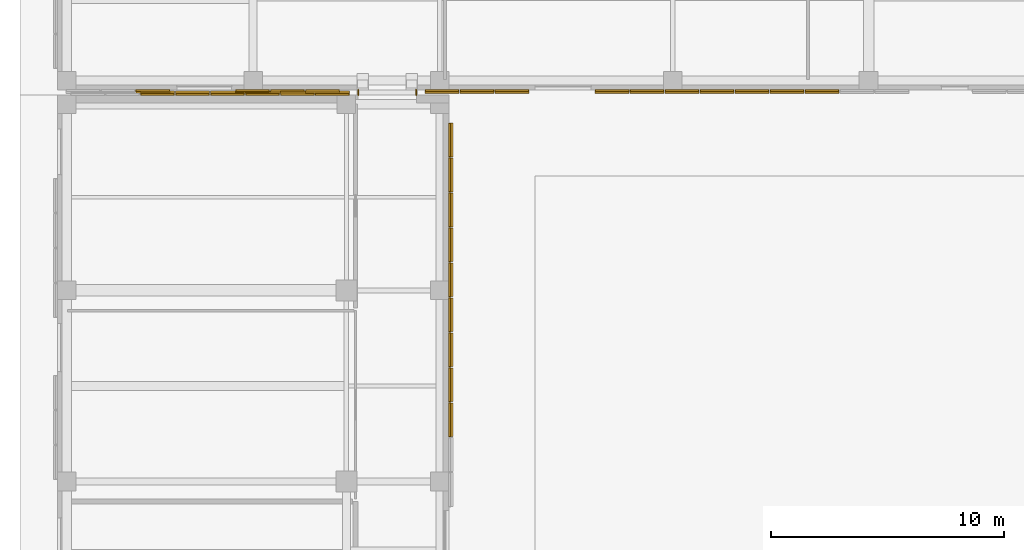
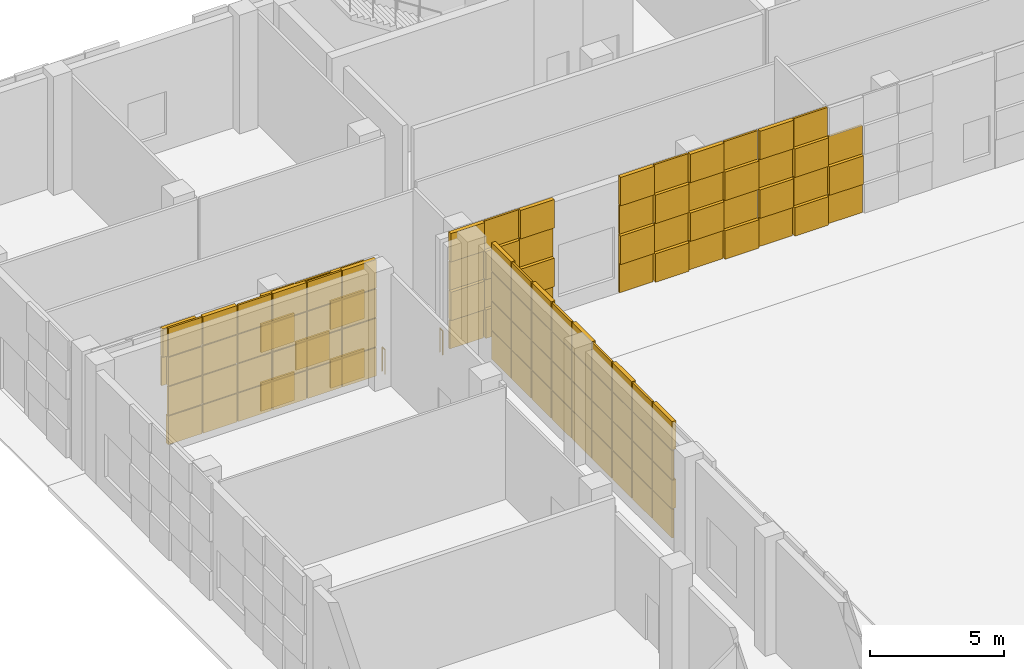
# One storey, part 33 of 40: 113 coverings, 2 railings.
"""IFC4 building model written with IfcOpenShell, lengths in metres."""

from ifc_helpers import new_model, si_unit, direction, frame, origin, origin_2d, place, context, subcontext, project, spatial, rectangle, circle, extrude, material, layer, layer_set, type_object, element, save


model = new_model("IFC4")

# Units and contexts
model_context = context("Model", 3, precision=1e-05, world=origin(), true_north=direction((0.0, 1.0)))
body_context = subcontext(model_context, "Body", "Model", "MODEL_VIEW")
ifc_project = project(units=[si_unit("LENGTHUNIT", "METRE"), si_unit("AREAUNIT", "SQUARE_METRE"), si_unit("VOLUMEUNIT", "CUBIC_METRE"), si_unit("PLANEANGLEUNIT", "RADIAN"), si_unit("MASSUNIT", "GRAM", prefix="KILO")], contexts=[model_context])

# Site, building, storey
site_placement = place(None, origin())
site = spatial("IfcSite", under=ifc_project, at=site_placement, CompositionType="ELEMENT")
building_placement = place(site_placement, origin())
building = spatial("IfcBuilding", under=site, at=building_placement, Name="Qalavern Law Courts", CompositionType="ELEMENT")
storey_placement = place(building_placement, origin())
storey = spatial("IfcBuildingStorey", under=building, at=storey_placement, Name="L00", CompositionType="ELEMENT", Elevation=0.0)

# Railings
ifc_material_1 = material(Name="Steel S355", Category="steel")
railing_type = type_object("IfcRailingType", Name="ENV-BAL-1120", PredefinedType="BALUSTRADE", material=ifc_material_1)
for number, where, name in (
    (1, (14.909912109375, 95.97998046875, 0.0), "Bridge BR-V3-V5 joint guard L00-1"),
    (2, (17.389892578125, 95.97998046875, 0.0), "Bridge BR-V3-V5 joint guard L00-2"),
):
    element("IfcRailing", number, at=place(storey_placement, frame(where)), inside=storey, type_object=railing_type, Name=name, PredefinedType="BALUSTRADE", context=body_context, shape_type="SweptSolid", body=[
        extrude(circle(Radius=0.02392578125, at=origin_2d()), frame((0.0, 0.0, 1.09619140625), z_axis=(0.0, 1.0, 0.0), x_axis=(-1.0, 0.0, 0.0)), (0.0, 0.0, 1.0), 0.219970703125),
        extrude(circle(Radius=0.02099609375, at=origin_2d()), origin(), (0.0, 0.0, 1.0), 1.072021484375),
        extrude(circle(Radius=0.02099609375, at=origin_2d()), frame((0.0, 0.219970703125, 0.0)), (0.0, 0.0, 1.0), 1.072021484375),
    ])

# Coverings
ifc_material_2 = material(Name="Precast concrete C40/50", Category="concrete")
ifc_layer_1 = layer(ifc_material_2, 0.06005859375)
ifc_layer_set_1 = layer_set([ifc_layer_1], Name="Precast concrete C40/50")
covering_type_1 = type_object("IfcCoveringType", Name="ENV-CLD-1", PredefinedType="CLADDING", material=ifc_layer_set_1)
for number, where, z_axis, x_axis, name in (
    (3, (18.837890625, 82.054931640625, 2.719970703125), (0.0, 0.0, 1.0), (0.0, 1.0, 0.0), "Cast drop-relief street-base tile 0599"),
    (4, (18.837890625, 83.554931640625, 1.385009765625), (0.0, 0.0, 1.0), (0.0, 1.0, 0.0), "Cast drop-relief street-base tile 0602"),
    (5, (18.837890625, 85.054931640625, 0.050048828125), (0.0, 0.0, 1.0), (0.0, 1.0, 0.0), "Cast drop-relief street-base tile 0605"),
):
    element("IfcCovering", number, at=place(storey_placement, frame(where, z_axis=z_axis, x_axis=x_axis)), inside=storey, type_object=covering_type_1, Name=name, PredefinedType="CLADDING", context=body_context, shape_type="SweptSolid", body=[
        extrude(rectangle(XDim=1.449951171875, YDim=0.083984375, at=origin_2d()), origin(), (0.0, 0.0, 1.0), 1.294921875),
    ])
for number, where, z_axis, x_axis, name in (
    (6, (18.8798828125, 85.054931640625, 4.054931640625), (0.0, 0.0, 1.0), (0.0, 1.0, 0.0), "Cast drop-relief street-base tile 0608"),
    (7, (18.8798828125, 86.554931640625, 2.719970703125), (0.0, 0.0, 1.0), (0.0, 1.0, 0.0), "Cast drop-relief street-base tile 0611"),
    (8, (18.8798828125, 88.054931640625, 1.385009765625), (0.0, 0.0, 1.0), (0.0, 1.0, 0.0), "Cast drop-relief street-base tile 0614"),
    (9, (18.8798828125, 89.554931640625, 0.050048828125), (0.0, 0.0, 1.0), (0.0, 1.0, 0.0), "Cast drop-relief street-base tile 0617"),
):
    element("IfcCovering", number, at=place(storey_placement, frame(where, z_axis=z_axis, x_axis=x_axis)), inside=storey, type_object=covering_type_1, Name=name, PredefinedType="CLADDING", context=body_context, shape_type="SweptSolid", body=[
        extrude(rectangle(XDim=1.449951171875, YDim=0.16796875, at=origin_2d()), origin(), (0.0, 0.0, 1.0), 1.294921875),
    ])
for number, where, z_axis, x_axis, name in (
    (10, (18.837890625, 89.554931640625, 4.054931640625), (0.0, 0.0, 1.0), (0.0, 1.0, 0.0), "Cast drop-relief street-base tile 0620"),
    (11, (18.837890625, 91.054931640625, 2.719970703125), (0.0, 0.0, 1.0), (0.0, 1.0, 0.0), "Cast drop-relief street-base tile 0623"),
    (12, (18.837890625, 92.554931640625, 1.385009765625), (0.0, 0.0, 1.0), (0.0, 1.0, 0.0), "Cast drop-relief street-base tile 0626"),
    (13, (18.837890625, 94.054931640625, 0.050048828125), (0.0, 0.0, 1.0), (0.0, 1.0, 0.0), "Cast drop-relief street-base tile 0629"),
):
    element("IfcCovering", number, at=place(storey_placement, frame(where, z_axis=z_axis, x_axis=x_axis)), inside=storey, type_object=covering_type_1, Name=name, PredefinedType="CLADDING", context=body_context, shape_type="SweptSolid", body=[
        extrude(rectangle(XDim=1.449951171875, YDim=0.083984375, at=origin_2d()), origin(), (0.0, 0.0, 1.0), 1.294921875),
    ])
for number, where, z_axis, x_axis, name in (
    (14, (18.8798828125, 94.054931640625, 4.054931640625), (0.0, 0.0, 1.0), (0.0, 1.0, 0.0), "Cast drop-relief street-base tile 0632"),
    (15, (13.800048828125, 96.06005859375, 1.385009765625), (0.0, 0.0, 1.0), (-1.0, 0.0, 0.0), "Cast drop-relief street-base tile 0634"),
    (16, (12.300048828125, 96.06005859375, 0.050048828125), (0.0, 0.0, 1.0), (-1.0, 0.0, 0.0), "Cast drop-relief street-base tile 0637"),
):
    element("IfcCovering", number, at=place(storey_placement, frame(where, z_axis=z_axis, x_axis=x_axis)), inside=storey, type_object=covering_type_1, Name=name, PredefinedType="CLADDING", context=body_context, shape_type="SweptSolid", body=[
        extrude(rectangle(XDim=1.449951171875, YDim=0.16796875, at=origin_2d()), origin(), (0.0, 0.0, 1.0), 1.294921875),
    ])
for number, where, z_axis, x_axis, name in (
    (17, (12.300048828125, 96.01806640625, 4.054931640625), (0.0, 0.0, 1.0), (-1.0, 0.0, 0.0), "Cast drop-relief street-base tile 0640"),
    (18, (10.800048828125, 96.01806640625, 2.719970703125), (0.0, 0.0, 1.0), (-1.0, 0.0, 0.0), "Cast drop-relief street-base tile 0643"),
    (19, (9.300048828125, 96.01806640625, 1.385009765625), (0.0, 0.0, 1.0), (-1.0, 0.0, 0.0), "Cast drop-relief street-base tile 0646"),
    (20, (7.800048828125, 96.01806640625, 0.050048828125), (0.0, 0.0, 1.0), (-1.0, 0.0, 0.0), "Cast drop-relief street-base tile 0649"),
):
    element("IfcCovering", number, at=place(storey_placement, frame(where, z_axis=z_axis, x_axis=x_axis)), inside=storey, type_object=covering_type_1, Name=name, PredefinedType="CLADDING", context=body_context, shape_type="SweptSolid", body=[
        extrude(rectangle(XDim=1.449951171875, YDim=0.083984375, at=origin_2d()), origin(), (0.0, 0.0, 1.0), 1.294921875),
    ])
for number, where, z_axis, x_axis, name in (
    (21, (7.800048828125, 96.06005859375, 4.054931640625), (0.0, 0.0, 1.0), (-1.0, 0.0, 0.0), "Cast drop-relief street-base tile 0652"),
    (22, (6.300048828125, 96.06005859375, 2.719970703125), (0.0, 0.0, 1.0), (-1.0, 0.0, 0.0), "Cast drop-relief street-base tile 0655"),
):
    element("IfcCovering", number, at=place(storey_placement, frame(where, z_axis=z_axis, x_axis=x_axis)), inside=storey, type_object=covering_type_1, Name=name, PredefinedType="CLADDING", context=body_context, shape_type="SweptSolid", body=[
        extrude(rectangle(XDim=1.449951171875, YDim=0.16796875, at=origin_2d()), origin(), (0.0, 0.0, 1.0), 1.294921875),
    ])
covering_1_placement = place(storey_placement, frame((6.10009765625, 96.162109375, 2.719970703125), z_axis=(0.0, 0.0, 1.0), x_axis=(1.0, 0.0, 0.0)))
element("IfcCovering", 23, at=covering_1_placement, inside=storey, type_object=covering_type_1, Name="Cast drop-relief street-base tile 1079", PredefinedType="CLADDING", context=body_context, shape_type="SweptSolid", body=[
    extrude(rectangle(XDim=1.449951171875, YDim=0.083984375, at=origin_2d()), origin(), (0.0, 0.0, 1.0), 1.294921875),
])
for number, where, z_axis, x_axis, name in (
    (24, (10.375, 96.1201171875, 1.385009765625), (0.0, 0.0, 1.0), (1.0, 0.0, 0.0), "Cast drop-relief street-base tile 1082"),
    (25, (11.875, 96.1201171875, 0.050048828125), (0.0, 0.0, 1.0), (1.0, 0.0, 0.0), "Cast drop-relief street-base tile 1085"),
):
    element("IfcCovering", number, at=place(storey_placement, frame(where, z_axis=z_axis, x_axis=x_axis)), inside=storey, type_object=covering_type_1, Name=name, PredefinedType="CLADDING", context=body_context, shape_type="SweptSolid", body=[
        extrude(rectangle(XDim=1.449951171875, YDim=0.16796875, at=origin_2d()), origin(), (0.0, 0.0, 1.0), 1.294921875),
    ])
for number, where, z_axis, x_axis, name in (
    (26, (11.875, 96.162109375, 4.054931640625), (0.0, 0.0, 1.0), (1.0, 0.0, 0.0), "Cast drop-relief street-base tile 1088"),
    (27, (13.375, 96.162109375, 2.719970703125), (0.0, 0.0, 1.0), (1.0, 0.0, 0.0), "Cast drop-relief street-base tile 1091"),
):
    element("IfcCovering", number, at=place(storey_placement, frame(where, z_axis=z_axis, x_axis=x_axis)), inside=storey, type_object=covering_type_1, Name=name, PredefinedType="CLADDING", context=body_context, shape_type="SweptSolid", body=[
        extrude(rectangle(XDim=1.449951171875, YDim=0.083984375, at=origin_2d()), origin(), (0.0, 0.0, 1.0), 1.294921875),
    ])
for number, where, z_axis, x_axis, name in (
    (28, (18.5, 96.1201171875, 1.385009765625), (0.0, 0.0, 1.0), (1.0, 0.0, 0.0), "Cast drop-relief street-base tile 1094"),
    (29, (20.0, 96.1201171875, 0.050048828125), (0.0, 0.0, 1.0), (1.0, 0.0, 0.0), "Cast drop-relief street-base tile 1097"),
):
    element("IfcCovering", number, at=place(storey_placement, frame(where, z_axis=z_axis, x_axis=x_axis)), inside=storey, type_object=covering_type_1, Name=name, PredefinedType="CLADDING", context=body_context, shape_type="SweptSolid", body=[
        extrude(rectangle(XDim=1.449951171875, YDim=0.16796875, at=origin_2d()), origin(), (0.0, 0.0, 1.0), 1.294921875),
    ])
for number, where, z_axis, x_axis, name in (
    (30, (20.0, 96.162109375, 4.054931640625), (0.0, 0.0, 1.0), (1.0, 0.0, 0.0), "Cast drop-relief street-base tile 1100"),
    (31, (21.5, 96.162109375, 2.719970703125), (0.0, 0.0, 1.0), (1.0, 0.0, 0.0), "Cast drop-relief street-base tile 1103"),
):
    element("IfcCovering", number, at=place(storey_placement, frame(where, z_axis=z_axis, x_axis=x_axis)), inside=storey, type_object=covering_type_1, Name=name, PredefinedType="CLADDING", context=body_context, shape_type="SweptSolid", body=[
        extrude(rectangle(XDim=1.449951171875, YDim=0.083984375, at=origin_2d()), origin(), (0.0, 0.0, 1.0), 1.294921875),
    ])
for number, where, z_axis, x_axis, name in (
    (32, (25.800048828125, 96.1201171875, 1.385009765625), (0.0, 0.0, 1.0), (1.0, 0.0, 0.0), "Cast drop-relief street-base tile 1106"),
    (33, (27.300048828125, 96.1201171875, 0.050048828125), (0.0, 0.0, 1.0), (1.0, 0.0, 0.0), "Cast drop-relief street-base tile 1109"),
):
    element("IfcCovering", number, at=place(storey_placement, frame(where, z_axis=z_axis, x_axis=x_axis)), inside=storey, type_object=covering_type_1, Name=name, PredefinedType="CLADDING", context=body_context, shape_type="SweptSolid", body=[
        extrude(rectangle(XDim=1.449951171875, YDim=0.16796875, at=origin_2d()), origin(), (0.0, 0.0, 1.0), 1.294921875),
    ])
for number, where, z_axis, x_axis, name in (
    (34, (27.300048828125, 96.162109375, 4.054931640625), (0.0, 0.0, 1.0), (1.0, 0.0, 0.0), "Cast drop-relief street-base tile 1112"),
    (35, (28.800048828125, 96.162109375, 2.719970703125), (0.0, 0.0, 1.0), (1.0, 0.0, 0.0), "Cast drop-relief street-base tile 1115"),
    (36, (30.300048828125, 96.162109375, 1.385009765625), (0.0, 0.0, 1.0), (1.0, 0.0, 0.0), "Cast drop-relief street-base tile 1118"),
    (37, (31.800048828125, 96.162109375, 0.050048828125), (0.0, 0.0, 1.0), (1.0, 0.0, 0.0), "Cast drop-relief street-base tile 1121"),
):
    element("IfcCovering", number, at=place(storey_placement, frame(where, z_axis=z_axis, x_axis=x_axis)), inside=storey, type_object=covering_type_1, Name=name, PredefinedType="CLADDING", context=body_context, shape_type="SweptSolid", body=[
        extrude(rectangle(XDim=1.449951171875, YDim=0.083984375, at=origin_2d()), origin(), (0.0, 0.0, 1.0), 1.294921875),
    ])
for number, where, z_axis, x_axis, name in (
    (38, (31.800048828125, 96.1201171875, 4.054931640625), (0.0, 0.0, 1.0), (1.0, 0.0, 0.0), "Cast drop-relief street-base tile 1124"),
    (39, (33.300048828125, 96.1201171875, 2.719970703125), (0.0, 0.0, 1.0), (1.0, 0.0, 0.0), "Cast drop-relief street-base tile 1127"),
    (40, (34.800048828125, 96.1201171875, 1.385009765625), (0.0, 0.0, 1.0), (1.0, 0.0, 0.0), "Cast drop-relief street-base tile 1130"),
):
    element("IfcCovering", number, at=place(storey_placement, frame(where, z_axis=z_axis, x_axis=x_axis)), inside=storey, type_object=covering_type_1, Name=name, PredefinedType="CLADDING", context=body_context, shape_type="SweptSolid", body=[
        extrude(rectangle(XDim=1.449951171875, YDim=0.16796875, at=origin_2d()), origin(), (0.0, 0.0, 1.0), 1.294921875),
    ])
ifc_layer_2 = layer(ifc_material_2, 0.072021484375)
ifc_layer_set_2 = layer_set([ifc_layer_2], Name="Precast concrete C40/50")
covering_type_2 = type_object("IfcCoveringType", Name="ENV-CLD-2", PredefinedType="CLADDING", material=ifc_layer_set_2)
covering_2_placement = place(storey_placement, frame((18.837890625, 82.054931640625, 0.050048828125), z_axis=(0.0, 0.0, 1.0), x_axis=(0.0, 1.0, 0.0)))
element("IfcCovering", 41, at=covering_2_placement, inside=storey, type_object=covering_type_2, Name="Cast drop-relief street-base tile 0597", PredefinedType="CLADDING", context=body_context, shape_type="SweptSolid", body=[
    extrude(rectangle(XDim=1.449951171875, YDim=0.083984375, at=origin_2d()), origin(), (0.0, 0.0, 1.0), 1.294921875),
])
for number, where, z_axis, x_axis, name in (
    (42, (18.8798828125, 82.054931640625, 4.054931640625), (0.0, 0.0, 1.0), (0.0, 1.0, 0.0), "Cast drop-relief street-base tile 0600"),
    (43, (18.8798828125, 83.554931640625, 2.719970703125), (0.0, 0.0, 1.0), (0.0, 1.0, 0.0), "Cast drop-relief street-base tile 0603"),
    (44, (18.8798828125, 85.054931640625, 1.385009765625), (0.0, 0.0, 1.0), (0.0, 1.0, 0.0), "Cast drop-relief street-base tile 0606"),
    (45, (18.8798828125, 86.554931640625, 0.050048828125), (0.0, 0.0, 1.0), (0.0, 1.0, 0.0), "Cast drop-relief street-base tile 0609"),
):
    element("IfcCovering", number, at=place(storey_placement, frame(where, z_axis=z_axis, x_axis=x_axis)), inside=storey, type_object=covering_type_2, Name=name, PredefinedType="CLADDING", context=body_context, shape_type="SweptSolid", body=[
        extrude(rectangle(XDim=1.449951171875, YDim=0.16796875, at=origin_2d()), origin(), (0.0, 0.0, 1.0), 1.294921875),
    ])
for number, where, z_axis, x_axis, name in (
    (46, (18.837890625, 86.554931640625, 4.054931640625), (0.0, 0.0, 1.0), (0.0, 1.0, 0.0), "Cast drop-relief street-base tile 0612"),
    (47, (18.837890625, 88.054931640625, 2.719970703125), (0.0, 0.0, 1.0), (0.0, 1.0, 0.0), "Cast drop-relief street-base tile 0615"),
    (48, (18.837890625, 89.554931640625, 1.385009765625), (0.0, 0.0, 1.0), (0.0, 1.0, 0.0), "Cast drop-relief street-base tile 0618"),
    (49, (18.837890625, 91.054931640625, 0.050048828125), (0.0, 0.0, 1.0), (0.0, 1.0, 0.0), "Cast drop-relief street-base tile 0621"),
):
    element("IfcCovering", number, at=place(storey_placement, frame(where, z_axis=z_axis, x_axis=x_axis)), inside=storey, type_object=covering_type_2, Name=name, PredefinedType="CLADDING", context=body_context, shape_type="SweptSolid", body=[
        extrude(rectangle(XDim=1.449951171875, YDim=0.083984375, at=origin_2d()), origin(), (0.0, 0.0, 1.0), 1.294921875),
    ])
for number, where, z_axis, x_axis, name in (
    (50, (18.8798828125, 91.054931640625, 4.054931640625), (0.0, 0.0, 1.0), (0.0, 1.0, 0.0), "Cast drop-relief street-base tile 0624"),
    (51, (18.8798828125, 92.554931640625, 2.719970703125), (0.0, 0.0, 1.0), (0.0, 1.0, 0.0), "Cast drop-relief street-base tile 0627"),
    (52, (18.8798828125, 94.054931640625, 1.385009765625), (0.0, 0.0, 1.0), (0.0, 1.0, 0.0), "Cast drop-relief street-base tile 0630"),
):
    element("IfcCovering", number, at=place(storey_placement, frame(where, z_axis=z_axis, x_axis=x_axis)), inside=storey, type_object=covering_type_2, Name=name, PredefinedType="CLADDING", context=body_context, shape_type="SweptSolid", body=[
        extrude(rectangle(XDim=1.449951171875, YDim=0.16796875, at=origin_2d()), origin(), (0.0, 0.0, 1.0), 1.294921875),
    ])
for number, where, z_axis, x_axis, name in (
    (53, (13.800048828125, 96.01806640625, 2.719970703125), (0.0, 0.0, 1.0), (-1.0, 0.0, 0.0), "Cast drop-relief street-base tile 0635"),
    (54, (12.300048828125, 96.01806640625, 1.385009765625), (0.0, 0.0, 1.0), (-1.0, 0.0, 0.0), "Cast drop-relief street-base tile 0638"),
    (55, (10.800048828125, 96.01806640625, 0.050048828125), (0.0, 0.0, 1.0), (-1.0, 0.0, 0.0), "Cast drop-relief street-base tile 0641"),
):
    element("IfcCovering", number, at=place(storey_placement, frame(where, z_axis=z_axis, x_axis=x_axis)), inside=storey, type_object=covering_type_2, Name=name, PredefinedType="CLADDING", context=body_context, shape_type="SweptSolid", body=[
        extrude(rectangle(XDim=1.449951171875, YDim=0.083984375, at=origin_2d()), origin(), (0.0, 0.0, 1.0), 1.294921875),
    ])
for number, where, z_axis, x_axis, name in (
    (56, (10.800048828125, 96.06005859375, 4.054931640625), (0.0, 0.0, 1.0), (-1.0, 0.0, 0.0), "Cast drop-relief street-base tile 0644"),
    (57, (9.300048828125, 96.06005859375, 2.719970703125), (0.0, 0.0, 1.0), (-1.0, 0.0, 0.0), "Cast drop-relief street-base tile 0647"),
    (58, (7.800048828125, 96.06005859375, 1.385009765625), (0.0, 0.0, 1.0), (-1.0, 0.0, 0.0), "Cast drop-relief street-base tile 0650"),
    (59, (6.300048828125, 96.06005859375, 0.050048828125), (0.0, 0.0, 1.0), (-1.0, 0.0, 0.0), "Cast drop-relief street-base tile 0653"),
):
    element("IfcCovering", number, at=place(storey_placement, frame(where, z_axis=z_axis, x_axis=x_axis)), inside=storey, type_object=covering_type_2, Name=name, PredefinedType="CLADDING", context=body_context, shape_type="SweptSolid", body=[
        extrude(rectangle(XDim=1.449951171875, YDim=0.16796875, at=origin_2d()), origin(), (0.0, 0.0, 1.0), 1.294921875),
    ])
covering_3_placement = place(storey_placement, frame((6.300048828125, 96.01806640625, 4.054931640625), z_axis=(0.0, 0.0, 1.0), x_axis=(-1.0, 0.0, 0.0)))
element("IfcCovering", 60, at=covering_3_placement, inside=storey, type_object=covering_type_2, Name="Cast drop-relief street-base tile 0656", PredefinedType="CLADDING", context=body_context, shape_type="SweptSolid", body=[
    extrude(rectangle(XDim=1.449951171875, YDim=0.083984375, at=origin_2d()), origin(), (0.0, 0.0, 1.0), 1.294921875),
])
covering_4_placement = place(storey_placement, frame((6.10009765625, 96.1201171875, 4.054931640625), z_axis=(0.0, 0.0, 1.0), x_axis=(1.0, 0.0, 0.0)))
element("IfcCovering", 61, at=covering_4_placement, inside=storey, type_object=covering_type_2, Name="Cast drop-relief street-base tile 1080", PredefinedType="CLADDING", context=body_context, shape_type="SweptSolid", body=[
    extrude(rectangle(XDim=1.449951171875, YDim=0.16796875, at=origin_2d()), origin(), (0.0, 0.0, 1.0), 1.294921875),
])
for number, where, z_axis, x_axis, name in (
    (62, (10.375, 96.162109375, 2.719970703125), (0.0, 0.0, 1.0), (1.0, 0.0, 0.0), "Cast drop-relief street-base tile 1083"),
    (63, (11.875, 96.162109375, 1.385009765625), (0.0, 0.0, 1.0), (1.0, 0.0, 0.0), "Cast drop-relief street-base tile 1086"),
    (64, (13.375, 96.162109375, 0.050048828125), (0.0, 0.0, 1.0), (1.0, 0.0, 0.0), "Cast drop-relief street-base tile 1089"),
):
    element("IfcCovering", number, at=place(storey_placement, frame(where, z_axis=z_axis, x_axis=x_axis)), inside=storey, type_object=covering_type_2, Name=name, PredefinedType="CLADDING", context=body_context, shape_type="SweptSolid", body=[
        extrude(rectangle(XDim=1.449951171875, YDim=0.083984375, at=origin_2d()), origin(), (0.0, 0.0, 1.0), 1.294921875),
    ])
covering_5_placement = place(storey_placement, frame((13.375, 96.1201171875, 4.054931640625), z_axis=(0.0, 0.0, 1.0), x_axis=(1.0, 0.0, 0.0)))
element("IfcCovering", 65, at=covering_5_placement, inside=storey, type_object=covering_type_2, Name="Cast drop-relief street-base tile 1092", PredefinedType="CLADDING", context=body_context, shape_type="SweptSolid", body=[
    extrude(rectangle(XDim=1.449951171875, YDim=0.16796875, at=origin_2d()), origin(), (0.0, 0.0, 1.0), 1.294921875),
])
for number, where, z_axis, x_axis, name in (
    (66, (18.5, 96.162109375, 2.719970703125), (0.0, 0.0, 1.0), (1.0, 0.0, 0.0), "Cast drop-relief street-base tile 1095"),
    (67, (20.0, 96.162109375, 1.385009765625), (0.0, 0.0, 1.0), (1.0, 0.0, 0.0), "Cast drop-relief street-base tile 1098"),
    (68, (21.5, 96.162109375, 0.050048828125), (0.0, 0.0, 1.0), (1.0, 0.0, 0.0), "Cast drop-relief street-base tile 1101"),
):
    element("IfcCovering", number, at=place(storey_placement, frame(where, z_axis=z_axis, x_axis=x_axis)), inside=storey, type_object=covering_type_2, Name=name, PredefinedType="CLADDING", context=body_context, shape_type="SweptSolid", body=[
        extrude(rectangle(XDim=1.449951171875, YDim=0.083984375, at=origin_2d()), origin(), (0.0, 0.0, 1.0), 1.294921875),
    ])
covering_6_placement = place(storey_placement, frame((21.5, 96.1201171875, 4.054931640625), z_axis=(0.0, 0.0, 1.0), x_axis=(1.0, 0.0, 0.0)))
element("IfcCovering", 69, at=covering_6_placement, inside=storey, type_object=covering_type_2, Name="Cast drop-relief street-base tile 1104", PredefinedType="CLADDING", context=body_context, shape_type="SweptSolid", body=[
    extrude(rectangle(XDim=1.449951171875, YDim=0.16796875, at=origin_2d()), origin(), (0.0, 0.0, 1.0), 1.294921875),
])
for number, where, z_axis, x_axis, name in (
    (70, (25.800048828125, 96.162109375, 2.719970703125), (0.0, 0.0, 1.0), (1.0, 0.0, 0.0), "Cast drop-relief street-base tile 1107"),
    (71, (27.300048828125, 96.162109375, 1.385009765625), (0.0, 0.0, 1.0), (1.0, 0.0, 0.0), "Cast drop-relief street-base tile 1110"),
    (72, (28.800048828125, 96.162109375, 0.050048828125), (0.0, 0.0, 1.0), (1.0, 0.0, 0.0), "Cast drop-relief street-base tile 1113"),
):
    element("IfcCovering", number, at=place(storey_placement, frame(where, z_axis=z_axis, x_axis=x_axis)), inside=storey, type_object=covering_type_2, Name=name, PredefinedType="CLADDING", context=body_context, shape_type="SweptSolid", body=[
        extrude(rectangle(XDim=1.449951171875, YDim=0.083984375, at=origin_2d()), origin(), (0.0, 0.0, 1.0), 1.294921875),
    ])
for number, where, z_axis, x_axis, name in (
    (73, (28.800048828125, 96.1201171875, 4.054931640625), (0.0, 0.0, 1.0), (1.0, 0.0, 0.0), "Cast drop-relief street-base tile 1116"),
    (74, (30.300048828125, 96.1201171875, 2.719970703125), (0.0, 0.0, 1.0), (1.0, 0.0, 0.0), "Cast drop-relief street-base tile 1119"),
    (75, (31.800048828125, 96.1201171875, 1.385009765625), (0.0, 0.0, 1.0), (1.0, 0.0, 0.0), "Cast drop-relief street-base tile 1122"),
    (76, (33.300048828125, 96.1201171875, 0.050048828125), (0.0, 0.0, 1.0), (1.0, 0.0, 0.0), "Cast drop-relief street-base tile 1125"),
):
    element("IfcCovering", number, at=place(storey_placement, frame(where, z_axis=z_axis, x_axis=x_axis)), inside=storey, type_object=covering_type_2, Name=name, PredefinedType="CLADDING", context=body_context, shape_type="SweptSolid", body=[
        extrude(rectangle(XDim=1.449951171875, YDim=0.16796875, at=origin_2d()), origin(), (0.0, 0.0, 1.0), 1.294921875),
    ])
for number, where, z_axis, x_axis, name in (
    (77, (33.300048828125, 96.162109375, 4.054931640625), (0.0, 0.0, 1.0), (1.0, 0.0, 0.0), "Cast drop-relief street-base tile 1128"),
    (78, (34.800048828125, 96.162109375, 2.719970703125), (0.0, 0.0, 1.0), (1.0, 0.0, 0.0), "Cast drop-relief street-base tile 1131"),
):
    element("IfcCovering", number, at=place(storey_placement, frame(where, z_axis=z_axis, x_axis=x_axis)), inside=storey, type_object=covering_type_2, Name=name, PredefinedType="CLADDING", context=body_context, shape_type="SweptSolid", body=[
        extrude(rectangle(XDim=1.449951171875, YDim=0.083984375, at=origin_2d()), origin(), (0.0, 0.0, 1.0), 1.294921875),
    ])
ifc_layer_3 = layer(ifc_material_2, 0.083984375)
ifc_layer_set_3 = layer_set([ifc_layer_3], Name="Precast concrete C40/50")
covering_type_3 = type_object("IfcCoveringType", Name="ENV-CLD-3", PredefinedType="CLADDING", material=ifc_layer_set_3)
for number, where, z_axis, x_axis, name in (
    (79, (18.8798828125, 82.054931640625, 1.385009765625), (0.0, 0.0, 1.0), (0.0, 1.0, 0.0), "Cast drop-relief street-base tile 0598"),
    (80, (18.8798828125, 83.554931640625, 0.050048828125), (0.0, 0.0, 1.0), (0.0, 1.0, 0.0), "Cast drop-relief street-base tile 0601"),
):
    element("IfcCovering", number, at=place(storey_placement, frame(where, z_axis=z_axis, x_axis=x_axis)), inside=storey, type_object=covering_type_3, Name=name, PredefinedType="CLADDING", context=body_context, shape_type="SweptSolid", body=[
        extrude(rectangle(XDim=1.449951171875, YDim=0.16796875, at=origin_2d()), origin(), (0.0, 0.0, 1.0), 1.294921875),
    ])
for number, where, z_axis, x_axis, name in (
    (81, (18.837890625, 83.554931640625, 4.054931640625), (0.0, 0.0, 1.0), (0.0, 1.0, 0.0), "Cast drop-relief street-base tile 0604"),
    (82, (18.837890625, 85.054931640625, 2.719970703125), (0.0, 0.0, 1.0), (0.0, 1.0, 0.0), "Cast drop-relief street-base tile 0607"),
    (83, (18.837890625, 86.554931640625, 1.385009765625), (0.0, 0.0, 1.0), (0.0, 1.0, 0.0), "Cast drop-relief street-base tile 0610"),
    (84, (18.837890625, 88.054931640625, 0.050048828125), (0.0, 0.0, 1.0), (0.0, 1.0, 0.0), "Cast drop-relief street-base tile 0613"),
):
    element("IfcCovering", number, at=place(storey_placement, frame(where, z_axis=z_axis, x_axis=x_axis)), inside=storey, type_object=covering_type_3, Name=name, PredefinedType="CLADDING", context=body_context, shape_type="SweptSolid", body=[
        extrude(rectangle(XDim=1.449951171875, YDim=0.083984375, at=origin_2d()), origin(), (0.0, 0.0, 1.0), 1.294921875),
    ])
for number, where, z_axis, x_axis, name in (
    (85, (18.8798828125, 88.054931640625, 4.054931640625), (0.0, 0.0, 1.0), (0.0, 1.0, 0.0), "Cast drop-relief street-base tile 0616"),
    (86, (18.8798828125, 89.554931640625, 2.719970703125), (0.0, 0.0, 1.0), (0.0, 1.0, 0.0), "Cast drop-relief street-base tile 0619"),
    (87, (18.8798828125, 91.054931640625, 1.385009765625), (0.0, 0.0, 1.0), (0.0, 1.0, 0.0), "Cast drop-relief street-base tile 0622"),
    (88, (18.8798828125, 92.554931640625, 0.050048828125), (0.0, 0.0, 1.0), (0.0, 1.0, 0.0), "Cast drop-relief street-base tile 0625"),
):
    element("IfcCovering", number, at=place(storey_placement, frame(where, z_axis=z_axis, x_axis=x_axis)), inside=storey, type_object=covering_type_3, Name=name, PredefinedType="CLADDING", context=body_context, shape_type="SweptSolid", body=[
        extrude(rectangle(XDim=1.449951171875, YDim=0.16796875, at=origin_2d()), origin(), (0.0, 0.0, 1.0), 1.294921875),
    ])
for number, where, z_axis, x_axis, name in (
    (89, (18.837890625, 92.554931640625, 4.054931640625), (0.0, 0.0, 1.0), (0.0, 1.0, 0.0), "Cast drop-relief street-base tile 0628"),
    (90, (18.837890625, 94.054931640625, 2.719970703125), (0.0, 0.0, 1.0), (0.0, 1.0, 0.0), "Cast drop-relief street-base tile 0631"),
    (91, (13.800048828125, 96.01806640625, 0.050048828125), (0.0, 0.0, 1.0), (-1.0, 0.0, 0.0), "Cast drop-relief street-base tile 0633"),
):
    element("IfcCovering", number, at=place(storey_placement, frame(where, z_axis=z_axis, x_axis=x_axis)), inside=storey, type_object=covering_type_3, Name=name, PredefinedType="CLADDING", context=body_context, shape_type="SweptSolid", body=[
        extrude(rectangle(XDim=1.449951171875, YDim=0.083984375, at=origin_2d()), origin(), (0.0, 0.0, 1.0), 1.294921875),
    ])
for number, where, z_axis, x_axis, name in (
    (92, (13.800048828125, 96.06005859375, 4.054931640625), (0.0, 0.0, 1.0), (-1.0, 0.0, 0.0), "Cast drop-relief street-base tile 0636"),
    (93, (12.300048828125, 96.06005859375, 2.719970703125), (0.0, 0.0, 1.0), (-1.0, 0.0, 0.0), "Cast drop-relief street-base tile 0639"),
    (94, (10.800048828125, 96.06005859375, 1.385009765625), (0.0, 0.0, 1.0), (-1.0, 0.0, 0.0), "Cast drop-relief street-base tile 0642"),
    (95, (9.300048828125, 96.06005859375, 0.050048828125), (0.0, 0.0, 1.0), (-1.0, 0.0, 0.0), "Cast drop-relief street-base tile 0645"),
):
    element("IfcCovering", number, at=place(storey_placement, frame(where, z_axis=z_axis, x_axis=x_axis)), inside=storey, type_object=covering_type_3, Name=name, PredefinedType="CLADDING", context=body_context, shape_type="SweptSolid", body=[
        extrude(rectangle(XDim=1.449951171875, YDim=0.16796875, at=origin_2d()), origin(), (0.0, 0.0, 1.0), 1.294921875),
    ])
for number, where, z_axis, x_axis, name in (
    (96, (9.300048828125, 96.01806640625, 4.054931640625), (0.0, 0.0, 1.0), (-1.0, 0.0, 0.0), "Cast drop-relief street-base tile 0648"),
    (97, (7.800048828125, 96.01806640625, 2.719970703125), (0.0, 0.0, 1.0), (-1.0, 0.0, 0.0), "Cast drop-relief street-base tile 0651"),
    (98, (6.300048828125, 96.01806640625, 1.385009765625), (0.0, 0.0, 1.0), (-1.0, 0.0, 0.0), "Cast drop-relief street-base tile 0654"),
    (99, (10.375, 96.162109375, 0.050048828125), (0.0, 0.0, 1.0), (1.0, 0.0, 0.0), "Cast drop-relief street-base tile 1081"),
):
    element("IfcCovering", number, at=place(storey_placement, frame(where, z_axis=z_axis, x_axis=x_axis)), inside=storey, type_object=covering_type_3, Name=name, PredefinedType="CLADDING", context=body_context, shape_type="SweptSolid", body=[
        extrude(rectangle(XDim=1.449951171875, YDim=0.083984375, at=origin_2d()), origin(), (0.0, 0.0, 1.0), 1.294921875),
    ])
for number, where, z_axis, x_axis, name in (
    (100, (10.375, 96.1201171875, 4.054931640625), (0.0, 0.0, 1.0), (1.0, 0.0, 0.0), "Cast drop-relief street-base tile 1084"),
    (101, (11.875, 96.1201171875, 2.719970703125), (0.0, 0.0, 1.0), (1.0, 0.0, 0.0), "Cast drop-relief street-base tile 1087"),
    (102, (13.375, 96.1201171875, 1.385009765625), (0.0, 0.0, 1.0), (1.0, 0.0, 0.0), "Cast drop-relief street-base tile 1090"),
):
    element("IfcCovering", number, at=place(storey_placement, frame(where, z_axis=z_axis, x_axis=x_axis)), inside=storey, type_object=covering_type_3, Name=name, PredefinedType="CLADDING", context=body_context, shape_type="SweptSolid", body=[
        extrude(rectangle(XDim=1.449951171875, YDim=0.16796875, at=origin_2d()), origin(), (0.0, 0.0, 1.0), 1.294921875),
    ])
covering_7_placement = place(storey_placement, frame((18.5, 96.162109375, 0.050048828125), z_axis=(0.0, 0.0, 1.0), x_axis=(1.0, 0.0, 0.0)))
element("IfcCovering", 103, at=covering_7_placement, inside=storey, type_object=covering_type_3, Name="Cast drop-relief street-base tile 1093", PredefinedType="CLADDING", context=body_context, shape_type="SweptSolid", body=[
    extrude(rectangle(XDim=1.449951171875, YDim=0.083984375, at=origin_2d()), origin(), (0.0, 0.0, 1.0), 1.294921875),
])
for number, where, z_axis, x_axis, name in (
    (104, (18.5, 96.1201171875, 4.054931640625), (0.0, 0.0, 1.0), (1.0, 0.0, 0.0), "Cast drop-relief street-base tile 1096"),
    (105, (20.0, 96.1201171875, 2.719970703125), (0.0, 0.0, 1.0), (1.0, 0.0, 0.0), "Cast drop-relief street-base tile 1099"),
    (106, (21.5, 96.1201171875, 1.385009765625), (0.0, 0.0, 1.0), (1.0, 0.0, 0.0), "Cast drop-relief street-base tile 1102"),
):
    element("IfcCovering", number, at=place(storey_placement, frame(where, z_axis=z_axis, x_axis=x_axis)), inside=storey, type_object=covering_type_3, Name=name, PredefinedType="CLADDING", context=body_context, shape_type="SweptSolid", body=[
        extrude(rectangle(XDim=1.449951171875, YDim=0.16796875, at=origin_2d()), origin(), (0.0, 0.0, 1.0), 1.294921875),
    ])
covering_8_placement = place(storey_placement, frame((25.800048828125, 96.162109375, 0.050048828125), z_axis=(0.0, 0.0, 1.0), x_axis=(1.0, 0.0, 0.0)))
element("IfcCovering", 107, at=covering_8_placement, inside=storey, type_object=covering_type_3, Name="Cast drop-relief street-base tile 1105", PredefinedType="CLADDING", context=body_context, shape_type="SweptSolid", body=[
    extrude(rectangle(XDim=1.449951171875, YDim=0.083984375, at=origin_2d()), origin(), (0.0, 0.0, 1.0), 1.294921875),
])
for number, where, z_axis, x_axis, name in (
    (108, (25.800048828125, 96.1201171875, 4.054931640625), (0.0, 0.0, 1.0), (1.0, 0.0, 0.0), "Cast drop-relief street-base tile 1108"),
    (109, (27.300048828125, 96.1201171875, 2.719970703125), (0.0, 0.0, 1.0), (1.0, 0.0, 0.0), "Cast drop-relief street-base tile 1111"),
    (110, (28.800048828125, 96.1201171875, 1.385009765625), (0.0, 0.0, 1.0), (1.0, 0.0, 0.0), "Cast drop-relief street-base tile 1114"),
    (111, (30.300048828125, 96.1201171875, 0.050048828125), (0.0, 0.0, 1.0), (1.0, 0.0, 0.0), "Cast drop-relief street-base tile 1117"),
):
    element("IfcCovering", number, at=place(storey_placement, frame(where, z_axis=z_axis, x_axis=x_axis)), inside=storey, type_object=covering_type_3, Name=name, PredefinedType="CLADDING", context=body_context, shape_type="SweptSolid", body=[
        extrude(rectangle(XDim=1.449951171875, YDim=0.16796875, at=origin_2d()), origin(), (0.0, 0.0, 1.0), 1.294921875),
    ])
for number, where, z_axis, x_axis, name in (
    (112, (30.300048828125, 96.162109375, 4.054931640625), (0.0, 0.0, 1.0), (1.0, 0.0, 0.0), "Cast drop-relief street-base tile 1120"),
    (113, (31.800048828125, 96.162109375, 2.719970703125), (0.0, 0.0, 1.0), (1.0, 0.0, 0.0), "Cast drop-relief street-base tile 1123"),
    (114, (33.300048828125, 96.162109375, 1.385009765625), (0.0, 0.0, 1.0), (1.0, 0.0, 0.0), "Cast drop-relief street-base tile 1126"),
    (115, (34.800048828125, 96.162109375, 0.050048828125), (0.0, 0.0, 1.0), (1.0, 0.0, 0.0), "Cast drop-relief street-base tile 1129"),
):
    element("IfcCovering", number, at=place(storey_placement, frame(where, z_axis=z_axis, x_axis=x_axis)), inside=storey, type_object=covering_type_3, Name=name, PredefinedType="CLADDING", context=body_context, shape_type="SweptSolid", body=[
        extrude(rectangle(XDim=1.449951171875, YDim=0.083984375, at=origin_2d()), origin(), (0.0, 0.0, 1.0), 1.294921875),
    ])

save(model, "model.ifc")
